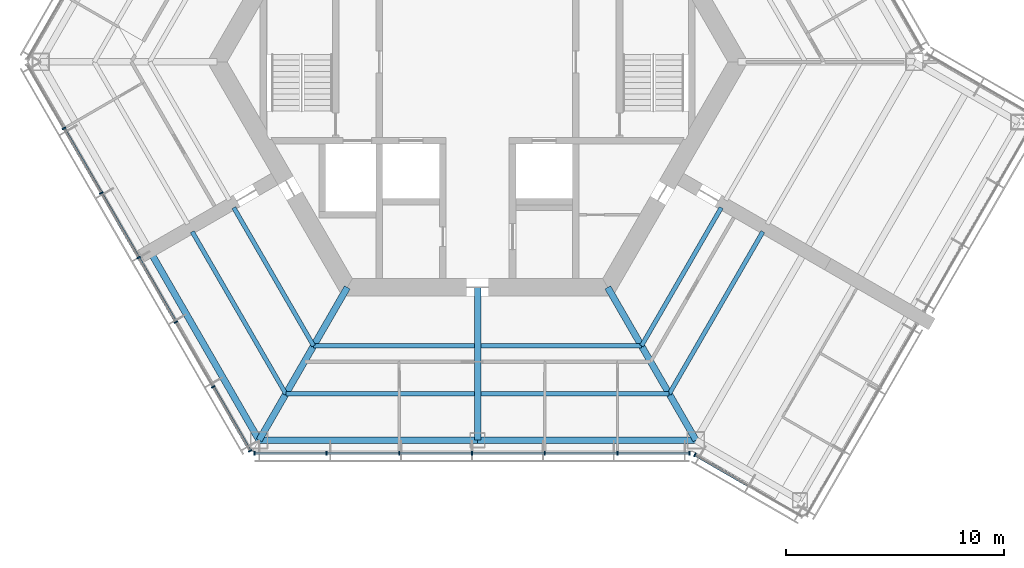
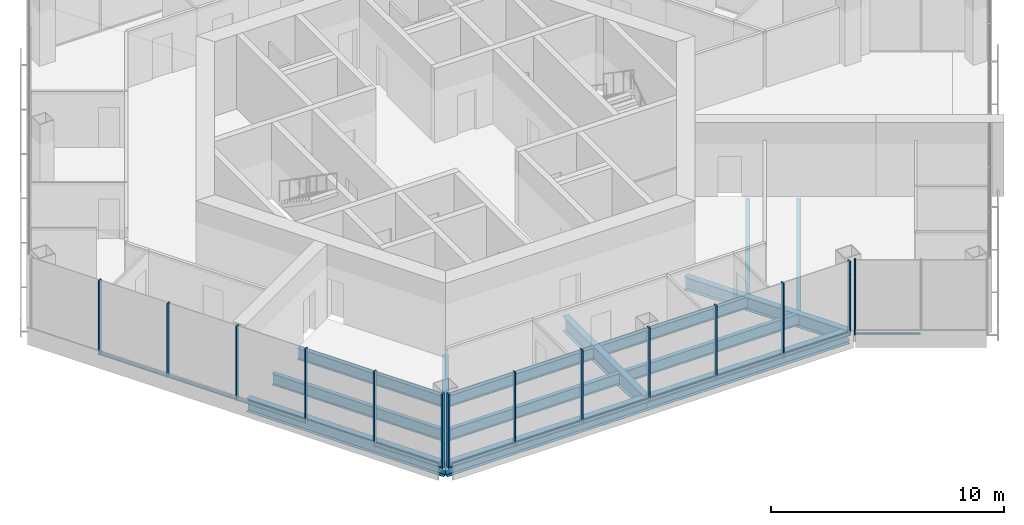
# One storey, part 2 of 13: 25 members, 14 beams, 3 elements without a shape of their own.
"""IFC4 building model written with IfcOpenShell, lengths in metres."""

from ifc_helpers import new_model, si_unit, direction, frame, origin, origin_2d, place, context, subcontext, project, spatial, rectangle, i_section, extrude, material, material_profile, profile_set, type_object, element, aggregate, save


model = new_model("IFC4")

# Units and contexts
model_context = context("Model", 3, precision=1e-05, world=origin(), true_north=direction((0.0, 1.0)))
body_context = subcontext(model_context, "Body", "Model", "MODEL_VIEW")
ifc_project = project(units=[si_unit("LENGTHUNIT", "METRE"), si_unit("AREAUNIT", "SQUARE_METRE"), si_unit("VOLUMEUNIT", "CUBIC_METRE"), si_unit("PLANEANGLEUNIT", "RADIAN"), si_unit("MASSUNIT", "GRAM", prefix="KILO")], contexts=[model_context])

# Site, building, storey
site_placement = place(None, origin())
site = spatial("IfcSite", under=ifc_project, at=site_placement, CompositionType="ELEMENT")
building_placement = place(site_placement, origin())
building = spatial("IfcBuilding", under=site, at=building_placement, Name="Kasaneha Research Tower", CompositionType="ELEMENT")
storey_placement = place(building_placement, frame((0.0, 0.0, 279.10009765625)))
storey = spatial("IfcBuildingStorey", under=building, at=storey_placement, Name="L70", CompositionType="ELEMENT", Elevation=279.10009765625)

# Beams
ifc_material_1 = material(Name="Steel SN490B", Category="steel")
ifc_material_profile_1 = material_profile(ifc_material_1, i_section(OverallWidth=0.199951171875, OverallDepth=0.60009765625, WebThickness=0.010986328125, FlangeThickness=0.01708984375, FilletRadius=0.012939453125, at=origin_2d()), Name="H-600x200x11x17")
ifc_profile_set_1 = profile_set([ifc_material_profile_1], Name="Steel SN490B")
beam_type_1 = type_object("IfcBeamType", Name="B1-3 secondary beam H-600x200x11x17", PredefinedType="JOIST", material=ifc_profile_set_1)
beam_1_placement = place(storey_placement, frame((-7.505615234375, -13.0, -0.4501953125), z_axis=(-0.499999192304, 0.866025870108, 0.0), x_axis=(-0.866025870108, -0.499999192304, 0.0)))
element("IfcBeam", 1, at=beam_1_placement, inside=storey, type_object=beam_type_1, Name="Secondary beam RS210R1 L70", PredefinedType="JOIST", context=body_context, shape_type="SweptSolid", body=[
    extrude(i_section(OverallWidth=0.199951171875, OverallDepth=0.60009765625, WebThickness=0.010986328125, FlangeThickness=0.01708984375, FilletRadius=0.012939453125, at=origin_2d()), origin(), (0.0, 0.0, 1.0), 7.3056640625),
])
beam_2_placement = place(storey_placement, frame((-8.775634765625, -15.199951171875, -0.4501953125), z_axis=(-0.500000102728, 0.866025344474, 0.0), x_axis=(-0.866025344474, -0.500000102728, 0.0)))
element("IfcBeam", 2, at=beam_2_placement, inside=storey, type_object=beam_type_1, Name="Secondary beam RS210R2 L70", PredefinedType="JOIST", context=body_context, shape_type="SweptSolid", body=[
    extrude(i_section(OverallWidth=0.199951171875, OverallDepth=0.60009765625, WebThickness=0.010986328125, FlangeThickness=0.01708984375, FilletRadius=0.012939453125, at=origin_2d()), origin(), (0.0, 0.0, 1.0), 8.57568359375),
])
beam_3_placement = place(storey_placement, frame((-7.505615234375, -13.0, -0.4501953125), z_axis=(1.0, 0.0, 0.0), x_axis=(0.0, 1.0, 0.0)))
element("IfcBeam", 3, at=beam_3_placement, inside=storey, type_object=beam_type_1, Name="Secondary beam RS270L1 L70", PredefinedType="JOIST", context=body_context, shape_type="SweptSolid", body=[
    extrude(i_section(OverallWidth=0.199951171875, OverallDepth=0.60009765625, WebThickness=0.010986328125, FlangeThickness=0.01708984375, FilletRadius=0.012939453125, at=origin_2d()), origin(), (0.0, 0.0, 1.0), 7.355712890625),
])
beam_4_placement = place(storey_placement, frame((-8.775634765625, -15.199951171875, -0.4501953125), z_axis=(1.0, 0.0, 0.0), x_axis=(0.0, 1.0, 0.0)))
element("IfcBeam", 4, at=beam_4_placement, inside=storey, type_object=beam_type_1, Name="Secondary beam RS270L2 L70", PredefinedType="JOIST", context=body_context, shape_type="SweptSolid", body=[
    extrude(i_section(OverallWidth=0.199951171875, OverallDepth=0.60009765625, WebThickness=0.010986328125, FlangeThickness=0.01708984375, FilletRadius=0.012939453125, at=origin_2d()), origin(), (0.0, 0.0, 1.0), 8.625732421875),
])
beam_5_placement = place(storey_placement, frame((7.505615234375, -13.0, -0.4501953125), z_axis=(-1.0, 0.0, 0.0), x_axis=(0.0, -1.0, 0.0)))
element("IfcBeam", 5, at=beam_5_placement, inside=storey, type_object=beam_type_1, Name="Secondary beam RS270R1 L70", PredefinedType="JOIST", context=body_context, shape_type="SweptSolid", body=[
    extrude(i_section(OverallWidth=0.199951171875, OverallDepth=0.60009765625, WebThickness=0.010986328125, FlangeThickness=0.01708984375, FilletRadius=0.012939453125, at=origin_2d()), origin(), (0.0, 0.0, 1.0), 7.355712890625),
])
beam_6_placement = place(storey_placement, frame((8.775634765625, -15.199951171875, -0.4501953125), z_axis=(-1.0, 0.0, 0.0), x_axis=(0.0, -1.0, 0.0)))
element("IfcBeam", 6, at=beam_6_placement, inside=storey, type_object=beam_type_1, Name="Secondary beam RS270R2 L70", PredefinedType="JOIST", context=body_context, shape_type="SweptSolid", body=[
    extrude(i_section(OverallWidth=0.199951171875, OverallDepth=0.60009765625, WebThickness=0.010986328125, FlangeThickness=0.01708984375, FilletRadius=0.012939453125, at=origin_2d()), origin(), (0.0, 0.0, 1.0), 8.625732421875),
])
beam_7_placement = place(storey_placement, frame((7.505615234375, -13.0, -0.4501953125), z_axis=(0.499999192304, 0.866025870108, 0.0), x_axis=(-0.866025870108, 0.499999192304, 0.0)))
element("IfcBeam", 7, at=beam_7_placement, inside=storey, type_object=beam_type_1, Name="Secondary beam RS330L1 L70", PredefinedType="JOIST", context=body_context, shape_type="SweptSolid", body=[
    extrude(i_section(OverallWidth=0.199951171875, OverallDepth=0.60009765625, WebThickness=0.010986328125, FlangeThickness=0.01708984375, FilletRadius=0.012939453125, at=origin_2d()), origin(), (0.0, 0.0, 1.0), 7.3056640625),
])
beam_8_placement = place(storey_placement, frame((8.775634765625, -15.199951171875, -0.4501953125), z_axis=(0.500000102728, 0.866025344474, 0.0), x_axis=(-0.866025344474, 0.500000102728, 0.0)))
element("IfcBeam", 8, at=beam_8_placement, inside=storey, type_object=beam_type_1, Name="Secondary beam RS330L2 L70", PredefinedType="JOIST", context=body_context, shape_type="SweptSolid", body=[
    extrude(i_section(OverallWidth=0.199951171875, OverallDepth=0.60009765625, WebThickness=0.010986328125, FlangeThickness=0.01708984375, FilletRadius=0.012939453125, at=origin_2d()), origin(), (0.0, 0.0, 1.0), 8.57568359375),
])

# Curtain wall, members
ifc_material_2 = material(Name="Glass and aluminium", Category="aluminium")
curtain_wall_type = type_object("IfcCurtainWallType", Name="Crown curtain wall", PredefinedType="USERDEFINED", material=ifc_material_2)
curtain_wall_1_placement = place(storey_placement, origin())
curtain_wall_1 = element("IfcCurtainWall", 9, at=curtain_wall_1_placement, inside=storey, type_object=curtain_wall_type, Name="CW-C L70 run 04a", ObjectType="UNITISED CURTAIN WALL", PredefinedType="USERDEFINED")
ifc_material_3 = material(Name="Aluminium 6063-T6", Category="aluminium")
ifc_material_profile_2 = material_profile(ifc_material_3, rectangle(XDim=0.06005859375, YDim=0.179931640625, at=origin_2d()), Name="CW-C mullion 60x180")
ifc_profile_set_2 = profile_set([ifc_material_profile_2], Name="Aluminium 6063-T6")
member_type_1 = type_object("IfcMemberType", Name="CW-C mullion", PredefinedType="MULLION", material=ifc_profile_set_2)
member_1_placement = place(storey_placement, frame((-18.93505859375, -3.04443359375, 0.0), z_axis=(0.0, 0.0, 1.0), x_axis=(0.499999995722, -0.866025406254, 0.0)))
member_1 = element("IfcMember", 10, at=member_1_placement, type_object=member_type_1, Name="CW-C mullion 2", PredefinedType="MULLION", context=body_context, shape_type="SweptSolid", body=[
    extrude(rectangle(XDim=0.06005859375, YDim=0.179931640625, at=origin_2d()), origin(), (0.0, 0.0, 1.0), 3.89990234375),
])
member_2_placement = place(storey_placement, frame((-17.227294921875, -6.00244140625, 0.0), z_axis=(0.0, 0.0, 1.0), x_axis=(0.499999995722, -0.866025406254, 0.0)))
member_2 = element("IfcMember", 11, at=member_2_placement, type_object=member_type_1, Name="CW-C mullion 3", PredefinedType="MULLION", context=body_context, shape_type="SweptSolid", body=[
    extrude(rectangle(XDim=0.06005859375, YDim=0.179931640625, at=origin_2d()), origin(), (0.0, 0.0, 1.0), 3.89990234375),
])
member_3_placement = place(storey_placement, frame((-15.51953125, -8.960205078125, 0.0), z_axis=(0.0, 0.0, 1.0), x_axis=(0.499999995722, -0.866025406254, 0.0)))
member_3 = element("IfcMember", 12, at=member_3_placement, type_object=member_type_1, Name="CW-C mullion 4", PredefinedType="MULLION", context=body_context, shape_type="SweptSolid", body=[
    extrude(rectangle(XDim=0.06005859375, YDim=0.179931640625, at=origin_2d()), origin(), (0.0, 0.0, 1.0), 3.89990234375),
])
member_4_placement = place(storey_placement, frame((-13.811767578125, -11.918212890625, 0.0), z_axis=(0.0, 0.0, 1.0), x_axis=(0.499999995722, -0.866025406254, 0.0)))
member_4 = element("IfcMember", 13, at=member_4_placement, type_object=member_type_1, Name="CW-C mullion 5", PredefinedType="MULLION", context=body_context, shape_type="SweptSolid", body=[
    extrude(rectangle(XDim=0.06005859375, YDim=0.179931640625, at=origin_2d()), origin(), (0.0, 0.0, 1.0), 3.89990234375),
])
member_5_placement = place(storey_placement, frame((-12.104248046875, -14.8759765625, 0.0), z_axis=(0.0, 0.0, 1.0), x_axis=(0.499999995722, -0.866025406254, 0.0)))
member_5 = element("IfcMember", 14, at=member_5_placement, type_object=member_type_1, Name="CW-C mullion 6", PredefinedType="MULLION", context=body_context, shape_type="SweptSolid", body=[
    extrude(rectangle(XDim=0.06005859375, YDim=0.179931640625, at=origin_2d()), origin(), (0.0, 0.0, 1.0), 3.89990234375),
])
member_6_placement = place(storey_placement, frame((-10.411376953125, -17.807861328125, 0.0), z_axis=(0.0, 0.0, 1.0), x_axis=(0.499999995722, -0.866025406254, 0.0)))
member_6 = element("IfcMember", 15, at=member_6_placement, type_object=member_type_1, Name="CW-C mullion 7", PredefinedType="MULLION", context=body_context, shape_type="SweptSolid", body=[
    extrude(rectangle(XDim=0.06005859375, YDim=0.179931640625, at=origin_2d()), origin(), (0.0, 0.0, 1.0), 3.89990234375),
])

curtain_wall_2_placement = place(storey_placement, origin())
curtain_wall_2 = element("IfcCurtainWall", 16, at=curtain_wall_2_placement, inside=storey, type_object=curtain_wall_type, Name="CW-C L70 run 05a", ObjectType="UNITISED CURTAIN WALL", PredefinedType="USERDEFINED")
member_7_placement = place(storey_placement, frame((-10.21630859375, -17.92041015625, 0.0), z_axis=(0.0, 0.0, 1.0), x_axis=(1.0, 0.0, 0.0)))
member_7 = element("IfcMember", 17, at=member_7_placement, type_object=member_type_1, Name="CW-C mullion 1", PredefinedType="MULLION", context=body_context, shape_type="SweptSolid", body=[
    extrude(rectangle(XDim=0.06005859375, YDim=0.179931640625, at=origin_2d()), origin(), (0.0, 0.0, 1.0), 3.89990234375),
])
member_8_placement = place(storey_placement, frame((-6.91552734375, -17.92041015625, 0.0), z_axis=(0.0, 0.0, 1.0), x_axis=(1.0, 0.0, 0.0)))
member_8 = element("IfcMember", 18, at=member_8_placement, type_object=member_type_1, Name="CW-C mullion 2", PredefinedType="MULLION", context=body_context, shape_type="SweptSolid", body=[
    extrude(rectangle(XDim=0.06005859375, YDim=0.179931640625, at=origin_2d()), origin(), (0.0, 0.0, 1.0), 3.89990234375),
])
member_9_placement = place(storey_placement, frame((-3.58447265625, -17.92041015625, 0.0), z_axis=(0.0, 0.0, 1.0), x_axis=(1.0, 0.0, 0.0)))
member_9 = element("IfcMember", 19, at=member_9_placement, type_object=member_type_1, Name="CW-C mullion 3", PredefinedType="MULLION", context=body_context, shape_type="SweptSolid", body=[
    extrude(rectangle(XDim=0.06005859375, YDim=0.179931640625, at=origin_2d()), origin(), (0.0, 0.0, 1.0), 3.89990234375),
])
member_10_placement = place(storey_placement, frame((-0.253662109375, -17.92041015625, 0.0), z_axis=(0.0, 0.0, 1.0), x_axis=(1.0, 0.0, 0.0)))
member_10 = element("IfcMember", 20, at=member_10_placement, type_object=member_type_1, Name="CW-C mullion 4", PredefinedType="MULLION", context=body_context, shape_type="SweptSolid", body=[
    extrude(rectangle(XDim=0.06005859375, YDim=0.179931640625, at=origin_2d()), origin(), (0.0, 0.0, 1.0), 3.89990234375),
])
member_11_placement = place(storey_placement, frame((3.077392578125, -17.92041015625, 0.0), z_axis=(0.0, 0.0, 1.0), x_axis=(1.0, 0.0, 0.0)))
member_11 = element("IfcMember", 21, at=member_11_placement, type_object=member_type_1, Name="CW-C mullion 5", PredefinedType="MULLION", context=body_context, shape_type="SweptSolid", body=[
    extrude(rectangle(XDim=0.06005859375, YDim=0.179931640625, at=origin_2d()), origin(), (0.0, 0.0, 1.0), 3.89990234375),
])
member_12_placement = place(storey_placement, frame((6.408203125, -17.92041015625, 0.0), z_axis=(0.0, 0.0, 1.0), x_axis=(1.0, 0.0, 0.0)))
member_12 = element("IfcMember", 22, at=member_12_placement, type_object=member_type_1, Name="CW-C mullion 6", PredefinedType="MULLION", context=body_context, shape_type="SweptSolid", body=[
    extrude(rectangle(XDim=0.06005859375, YDim=0.179931640625, at=origin_2d()), origin(), (0.0, 0.0, 1.0), 3.89990234375),
])
member_13_placement = place(storey_placement, frame((9.709228515625, -17.92041015625, 0.0), z_axis=(0.0, 0.0, 1.0), x_axis=(1.0, 0.0, 0.0)))
member_13 = element("IfcMember", 23, at=member_13_placement, type_object=member_type_1, Name="CW-C mullion 7", PredefinedType="MULLION", context=body_context, shape_type="SweptSolid", body=[
    extrude(rectangle(XDim=0.06005859375, YDim=0.179931640625, at=origin_2d()), origin(), (0.0, 0.0, 1.0), 3.89990234375),
])

# Curtain wall, member
curtain_wall_3_placement = place(storey_placement, origin())
curtain_wall_3 = element("IfcCurtainWall", 24, at=curtain_wall_3_placement, inside=storey, type_object=curtain_wall_type, Name="CW-C L70 run 06a", ObjectType="UNITISED CURTAIN WALL", PredefinedType="USERDEFINED")
member_14_placement = place(storey_placement, frame((9.951904296875, -17.985595703125, 0.0), z_axis=(0.0, 0.0, 1.0), x_axis=(0.866025443395, -0.499999931393, 0.0)))
member_14 = element("IfcMember", 25, at=member_14_placement, type_object=member_type_1, Name="CW-C mullion 1", PredefinedType="MULLION", context=body_context, shape_type="SweptSolid", body=[
    extrude(rectangle(XDim=0.06005859375, YDim=0.179931640625, at=origin_2d()), origin(), (0.0, 0.0, 1.0), 3.89990234375),
])

# Member
ifc_material_4 = material(Name="Aluminium 6063-T6", Category="aluminium")
ifc_material_profile_3 = material_profile(ifc_material_4, rectangle(XDim=0.1298828125, YDim=0.06005859375, at=origin_2d()), Name="CW-C transom 130x60")
ifc_profile_set_3 = profile_set([ifc_material_profile_3], Name="Aluminium 6063-T6")
member_type_2 = type_object("IfcMemberType", Name="CW-C transom", PredefinedType="USERDEFINED", material=ifc_profile_set_3)
member_15_placement = place(storey_placement, frame((-18.920166015625, -3.070556640625, 0.02978515625), z_axis=(0.500020578564, -0.866013522419, 0.0), x_axis=(0.866013522419, 0.500020578564, 0.0)))
member_15 = element("IfcMember", 26, at=member_15_placement, type_object=member_type_2, Name="CW-C transom 2", ObjectType="TRANSOM", PredefinedType="USERDEFINED", context=body_context, shape_type="SweptSolid", body=[
    extrude(rectangle(XDim=0.1298828125, YDim=0.06005859375, at=origin_2d()), origin(), (0.0, 0.0, 1.0), 3.355224609375),
])

member_16_placement = place(storey_placement, frame((-17.21240234375, -6.0283203125, 0.02978515625), z_axis=(0.499989072476, -0.866031712701, 0.0), x_axis=(0.866031712701, 0.499989072476, 0.0)))
member_16 = element("IfcMember", 27, at=member_16_placement, type_object=member_type_2, Name="CW-C transom 3", ObjectType="TRANSOM", PredefinedType="USERDEFINED", context=body_context, shape_type="SweptSolid", body=[
    extrude(rectangle(XDim=0.1298828125, YDim=0.06005859375, at=origin_2d()), origin(), (0.0, 0.0, 1.0), 3.35546875),
])

member_17_placement = place(storey_placement, frame((-15.504638671875, -8.986328125, 0.02978515625), z_axis=(0.500020578564, -0.866013522419, 0.0), x_axis=(0.866013522419, 0.500020578564, 0.0)))
member_17 = element("IfcMember", 28, at=member_17_placement, type_object=member_type_2, Name="CW-C transom 4", ObjectType="TRANSOM", PredefinedType="USERDEFINED", context=body_context, shape_type="SweptSolid", body=[
    extrude(rectangle(XDim=0.1298828125, YDim=0.06005859375, at=origin_2d()), origin(), (0.0, 0.0, 1.0), 3.355224609375),
])

member_18_placement = place(storey_placement, frame((-12.089111328125, -14.902099609375, 0.02978515625), z_axis=(0.49997666526, -0.866038875684, 0.0), x_axis=(0.866038875684, 0.49997666526, 0.0)))
member_18 = element("IfcMember", 29, at=member_18_placement, type_object=member_type_2, Name="CW-C transom 6", ObjectType="TRANSOM", PredefinedType="USERDEFINED", context=body_context, shape_type="SweptSolid", body=[
    extrude(rectangle(XDim=0.1298828125, YDim=0.06005859375, at=origin_2d()), origin(), (0.0, 0.0, 1.0), 3.325439453125),
])

aggregate(curtain_wall_1, [member_1, member_2, member_3, member_4, member_5, member_6, member_15, member_16, member_17, member_18])

member_19_placement = place(storey_placement, frame((-10.1865234375, -17.92041015625, 0.02978515625), z_axis=(1.0, 0.0, 0.0), x_axis=(0.0, 1.0, 0.0)))
member_19 = element("IfcMember", 30, at=member_19_placement, type_object=member_type_2, Name="CW-C transom 1", ObjectType="TRANSOM", PredefinedType="USERDEFINED", context=body_context, shape_type="SweptSolid", body=[
    extrude(rectangle(XDim=0.1298828125, YDim=0.06005859375, at=origin_2d()), origin(), (0.0, 0.0, 1.0), 3.240966796875),
])

member_20_placement = place(storey_placement, frame((-6.885498046875, -17.92041015625, 0.02978515625), z_axis=(1.0, 0.0, 0.0), x_axis=(0.0, 1.0, 0.0)))
member_20 = element("IfcMember", 31, at=member_20_placement, type_object=member_type_2, Name="CW-C transom 2", ObjectType="TRANSOM", PredefinedType="USERDEFINED", context=body_context, shape_type="SweptSolid", body=[
    extrude(rectangle(XDim=0.1298828125, YDim=0.06005859375, at=origin_2d()), origin(), (0.0, 0.0, 1.0), 3.27099609375),
])

member_21_placement = place(storey_placement, frame((-3.554443359375, -17.92041015625, 0.02978515625), z_axis=(1.0, 0.0, 0.0), x_axis=(0.0, 1.0, 0.0)))
member_21 = element("IfcMember", 32, at=member_21_placement, type_object=member_type_2, Name="CW-C transom 3", ObjectType="TRANSOM", PredefinedType="USERDEFINED", context=body_context, shape_type="SweptSolid", body=[
    extrude(rectangle(XDim=0.1298828125, YDim=0.06005859375, at=origin_2d()), origin(), (0.0, 0.0, 1.0), 3.270751953125),
])

member_22_placement = place(storey_placement, frame((-0.2236328125, -17.92041015625, 0.02978515625), z_axis=(1.0, 0.0, 0.0), x_axis=(0.0, 1.0, 0.0)))
member_22 = element("IfcMember", 33, at=member_22_placement, type_object=member_type_2, Name="CW-C transom 4", ObjectType="TRANSOM", PredefinedType="USERDEFINED", context=body_context, shape_type="SweptSolid", body=[
    extrude(rectangle(XDim=0.1298828125, YDim=0.06005859375, at=origin_2d()), origin(), (0.0, 0.0, 1.0), 3.27099609375),
])

member_23_placement = place(storey_placement, frame((3.107421875, -17.92041015625, 0.02978515625), z_axis=(1.0, 0.0, 0.0), x_axis=(0.0, 1.0, 0.0)))
member_23 = element("IfcMember", 34, at=member_23_placement, type_object=member_type_2, Name="CW-C transom 5", ObjectType="TRANSOM", PredefinedType="USERDEFINED", context=body_context, shape_type="SweptSolid", body=[
    extrude(rectangle(XDim=0.1298828125, YDim=0.06005859375, at=origin_2d()), origin(), (0.0, 0.0, 1.0), 3.270751953125),
])

member_24_placement = place(storey_placement, frame((6.438232421875, -17.92041015625, 0.02978515625), z_axis=(1.0, 0.0, 0.0), x_axis=(0.0, 1.0, 0.0)))
member_24 = element("IfcMember", 35, at=member_24_placement, type_object=member_type_2, Name="CW-C transom 6", ObjectType="TRANSOM", PredefinedType="USERDEFINED", context=body_context, shape_type="SweptSolid", body=[
    extrude(rectangle(XDim=0.1298828125, YDim=0.06005859375, at=origin_2d()), origin(), (0.0, 0.0, 1.0), 3.240966796875),
])

aggregate(curtain_wall_2, [member_7, member_8, member_9, member_10, member_11, member_12, member_13, member_19, member_20, member_21, member_22, member_23, member_24])

member_25_placement = place(storey_placement, frame((9.977783203125, -18.00048828125, 0.02978515625), z_axis=(0.866012991964, -0.500021497287, 0.0), x_axis=(0.500021497287, 0.866012991964, 0.0)))
member_25 = element("IfcMember", 36, at=member_25_placement, type_object=member_type_2, Name="CW-C transom 1", ObjectType="TRANSOM", PredefinedType="USERDEFINED", context=body_context, shape_type="SweptSolid", body=[
    extrude(rectangle(XDim=0.1298828125, YDim=0.06005859375, at=origin_2d()), origin(), (0.0, 0.0, 1.0), 2.77978515625),
])

aggregate(curtain_wall_3, [member_14, member_25])

# Beams
ifc_material_5 = material(Name="Steel SN490B", Category="steel")
ifc_material_profile_4 = material_profile(ifc_material_5, i_section(OverallWidth=0.300048828125, OverallDepth=0.699951171875, WebThickness=0.012939453125, FlangeThickness=0.02392578125, FilletRadius=0.01806640625, at=origin_2d()), Name="H-700x300x13x24")
ifc_profile_set_4 = profile_set([ifc_material_profile_4], Name="Steel SN490B")
beam_type_2 = type_object("IfcBeamType", Name="G1-3 radial girder H-700x300x13x24", PredefinedType="BEAM", material=ifc_profile_set_4)
for number, where, z_axis, x_axis, name in (
    (37, (-5.961181640625, -10.324951171875, -0.5), (-0.49999105496, -0.866030568144, 0.0), (0.866030568144, -0.49999105496, 0.0), "Radial girder RV240 L70"),
    (38, (5.961181640625, -10.324951171875, -0.5), (0.49999105496, -0.866030568144, 0.0), (0.866030568144, 0.49999105496, 0.0), "Radial girder RV300 L70"),
):
    element("IfcBeam", number, at=place(storey_placement, frame(where, z_axis=z_axis, x_axis=x_axis)), inside=storey, type_object=beam_type_2, Name=name, PredefinedType="BEAM", context=body_context, shape_type="SweptSolid", body=[
        extrude(i_section(OverallWidth=0.300048828125, OverallDepth=0.699951171875, WebThickness=0.012939453125, FlangeThickness=0.02392578125, FilletRadius=0.01806640625, at=origin_2d()), origin(), (0.0, 0.0, 1.0), 8.077880859375),
    ])
ifc_material_6 = material(Name="Steel SN490B", Category="steel")
ifc_material_profile_5 = material_profile(ifc_material_6, i_section(OverallWidth=0.300048828125, OverallDepth=0.800048828125, WebThickness=0.013916015625, FlangeThickness=0.02587890625, FilletRadius=0.01806640625, at=origin_2d()), Name="H-800x300x14x26")
ifc_profile_set_5 = profile_set([ifc_material_profile_5], Name="Steel SN490B")
beam_type_3 = type_object("IfcBeamType", Name="G2-3 radial girder H-800x300x14x26", PredefinedType="BEAM", material=ifc_profile_set_5)
beam_9_placement = place(storey_placement, frame((0.0, -10.324951171875, -0.550048828125), z_axis=(0.0, -1.0, 0.0), x_axis=(1.0, 0.0, 0.0)))
element("IfcBeam", 39, at=beam_9_placement, inside=storey, type_object=beam_type_3, Name="Radial girder RM270 L70", PredefinedType="BEAM", context=body_context, shape_type="SweptSolid", body=[
    extrude(i_section(OverallWidth=0.300048828125, OverallDepth=0.800048828125, WebThickness=0.013916015625, FlangeThickness=0.02587890625, FilletRadius=0.01806640625, at=origin_2d()), origin(), (0.0, 0.0, 1.0), 6.99560546875),
])
ifc_material_7 = material(Name="Steel SN490B", Category="steel")
ifc_material_profile_6 = material_profile(ifc_material_7, i_section(OverallWidth=0.300048828125, OverallDepth=0.69189453125, WebThickness=0.012939453125, FlangeThickness=0.02001953125, FilletRadius=0.01806640625, at=origin_2d()), Name="H-692x300x13x20")
ifc_profile_set_6 = profile_set([ifc_material_profile_6], Name="Steel SN490B")
beam_type_4 = type_object("IfcBeamType", Name="G3-3 plate edge girder H-692x300x13x20", PredefinedType="BEAM", material=ifc_profile_set_6)
beam_10_placement = place(storey_placement, frame((-10.0, -17.320556640625, -0.49609375), z_axis=(-0.49999201416, 0.866030014362, 0.0), x_axis=(-0.866030014362, -0.49999201416, 0.0)))
element("IfcBeam", 40, at=beam_10_placement, inside=storey, type_object=beam_type_4, Name="Plate edge girder PEBN L70", PredefinedType="BEAM", context=body_context, shape_type="SweptSolid", body=[
    extrude(i_section(OverallWidth=0.300048828125, OverallDepth=0.69189453125, WebThickness=0.012939453125, FlangeThickness=0.02001953125, FilletRadius=0.01806640625, at=origin_2d()), origin(), (0.0, 0.0, 1.0), 9.800048828125),
])
ifc_material_8 = material(Name="Steel SN490B", Category="steel")
ifc_material_profile_7 = material_profile(ifc_material_8, i_section(OverallWidth=0.300048828125, OverallDepth=0.69189453125, WebThickness=0.012939453125, FlangeThickness=0.02001953125, FilletRadius=0.01806640625, at=origin_2d()), Name="H-692x300x13x20")
ifc_profile_set_7 = profile_set([ifc_material_profile_7], Name="Steel SN490B")
beam_type_5 = type_object("IfcBeamType", Name="SB1-3 spandrel beam H-692x300x13x20", PredefinedType="SPANDREL", material=ifc_profile_set_7)
for number, where, z_axis, x_axis, name in (
    (41, (-10.0, -17.320556640625, -0.49609375), (1.0, 0.0, 0.0), (0.0, 1.0, 0.0), "Spandrel beam SR270L L70"),
    (42, (10.0, -17.320556640625, -0.49609375), (-1.0, 0.0, 0.0), (0.0, -1.0, 0.0), "Spandrel beam SR270R L70"),
):
    element("IfcBeam", number, at=place(storey_placement, frame(where, z_axis=z_axis, x_axis=x_axis)), inside=storey, type_object=beam_type_5, Name=name, PredefinedType="SPANDREL", context=body_context, shape_type="SweptSolid", body=[
        extrude(i_section(OverallWidth=0.300048828125, OverallDepth=0.69189453125, WebThickness=0.012939453125, FlangeThickness=0.02001953125, FilletRadius=0.01806640625, at=origin_2d()), origin(), (0.0, 0.0, 1.0), 10.0),
    ])

save(model, "model.ifc")
